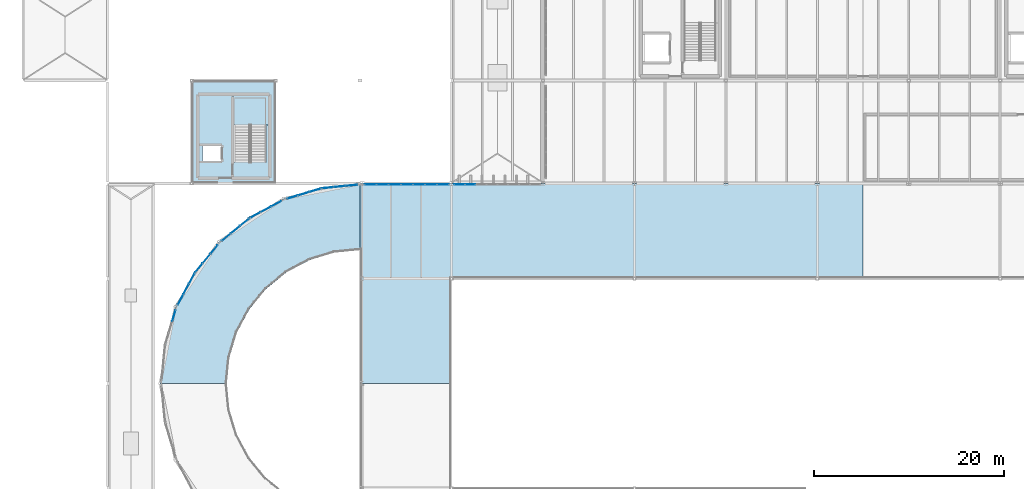
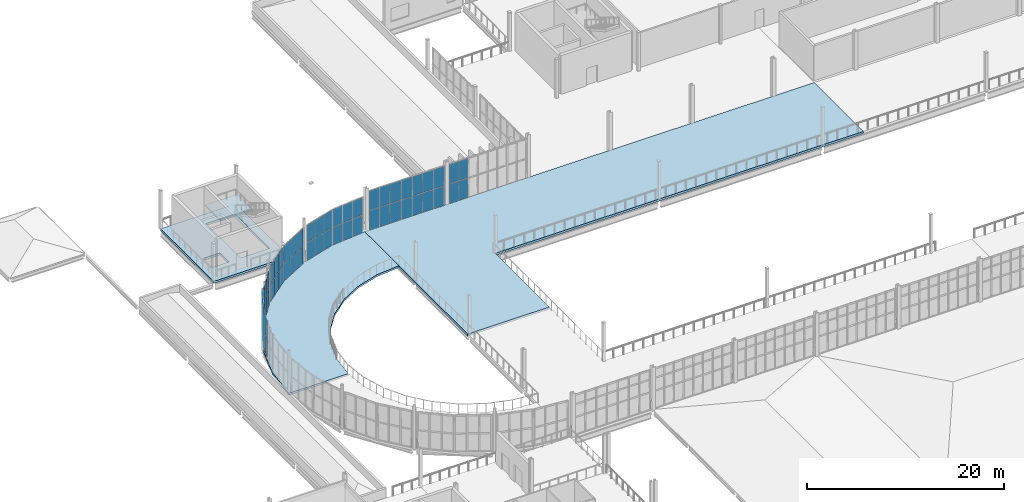
# One storey, part 79 of 112: 56 plates, 4 slabs, 10 elements without a shape of their own.
"""IFC4 building model written with IfcOpenShell, lengths in metres."""

from ifc_helpers import new_model, si_unit, direction, frame, origin, origin_2d, place, context, subcontext, project, spatial, polyline, rectangle, outline, extrude, material, layer, layer_set, type_object, element, aggregate, save


model = new_model("IFC4")

# Units and contexts
model_context = context("Model", 3, precision=1e-05, world=origin(), true_north=direction((0.0, 1.0)))
body_context = subcontext(model_context, "Body", "Model", "MODEL_VIEW")
ifc_project = project(units=[si_unit("LENGTHUNIT", "METRE"), si_unit("AREAUNIT", "SQUARE_METRE"), si_unit("VOLUMEUNIT", "CUBIC_METRE"), si_unit("PLANEANGLEUNIT", "RADIAN"), si_unit("MASSUNIT", "GRAM", prefix="KILO")], contexts=[model_context])

# Site, building, storey
site_placement = place(None, origin())
site = spatial("IfcSite", under=ifc_project, at=site_placement, CompositionType="ELEMENT")
building_placement = place(site_placement, origin())
building = spatial("IfcBuilding", under=site, at=building_placement, Name="Yeouljin Market Hall", CompositionType="ELEMENT")
storey_placement = place(building_placement, frame((0.0, 0.0, 6.0)))
storey = spatial("IfcBuildingStorey", under=building, at=storey_placement, Name="L01", CompositionType="ELEMENT", Elevation=6.0)

# Curtain wall, plates
ifc_material_1 = material(Name="Thermally Broken Aluminium", Category="aluminium")
ifc_layer_1 = layer(ifc_material_1, 0.159912109375)
ifc_layer_set_1 = layer_set([ifc_layer_1], Name="Thermally Broken Aluminium")
curtain_wall_type_1 = type_object("IfcCurtainWallType", Name="CW_HallClerestory_System", PredefinedType="USERDEFINED", material=ifc_layer_set_1)
curtain_wall_1_placement = place(storey_placement, origin())
curtain_wall_1 = element("IfcCurtainWall", 1, at=curtain_wall_1_placement, inside=storey, type_object=curtain_wall_type_1, Name="Curtain wall CW-V1N-UP-01", ObjectType="CURTAIN WALL", PredefinedType="USERDEFINED")
ifc_material_2 = material(Name="Low-E Insulated Glass", Category="glass")
ifc_layer_2 = layer(ifc_material_2, 0.028076171875)
ifc_layer_set_2 = layer_set([ifc_layer_2], Name="Low-E Insulated Glass")
plate_type = type_object("IfcPlateType", Name="CWPanel_LowE_28", PredefinedType="CURTAIN_PANEL", material=ifc_layer_set_2)
plate_1_placement = place(storey_placement, frame((36.497802734375, 77.89990234375, 0.0478515625), z_axis=(0.0, 0.0, 1.0), x_axis=(1.0, 0.0, 0.0)))
plate_1 = element("IfcPlate", 2, at=plate_1_placement, type_object=plate_type, Name="CW-02 panel 1.1", PredefinedType="CURTAIN_PANEL", context=body_context, shape_type="SweptSolid", body=[
    extrude(rectangle(XDim=1.199462890625, YDim=0.028076171875, at=origin_2d()), origin(), (0.0, 0.0, 1.0), 2.4130859375),
])
plate_2_placement = place(storey_placement, frame((36.497802734375, 77.89990234375, 2.509033203125), z_axis=(0.0, 0.0, 1.0), x_axis=(1.0, 0.0, 0.0)))
plate_2 = element("IfcPlate", 3, at=plate_2_placement, type_object=plate_type, Name="CW-02 panel 1.2", PredefinedType="CURTAIN_PANEL", context=body_context, shape_type="SweptSolid", body=[
    extrude(rectangle(XDim=1.199462890625, YDim=0.028076171875, at=origin_2d()), origin(), (0.0, 0.0, 1.0), 2.4130859375),
])
plate_3_placement = place(storey_placement, frame((37.757080078125, 77.89990234375, 0.0478515625), z_axis=(0.0, 0.0, 1.0), x_axis=(1.0, 0.0, 0.0)))
plate_3 = element("IfcPlate", 4, at=plate_3_placement, type_object=plate_type, Name="CW-02 panel 2.1", PredefinedType="CURTAIN_PANEL", context=body_context, shape_type="SweptSolid", body=[
    extrude(rectangle(XDim=1.223388671875, YDim=0.028076171875, at=origin_2d()), origin(), (0.0, 0.0, 1.0), 2.4130859375),
])
plate_4_placement = place(storey_placement, frame((37.757080078125, 77.89990234375, 2.509033203125), z_axis=(0.0, 0.0, 1.0), x_axis=(1.0, 0.0, 0.0)))
plate_4 = element("IfcPlate", 5, at=plate_4_placement, type_object=plate_type, Name="CW-02 panel 2.2", PredefinedType="CURTAIN_PANEL", context=body_context, shape_type="SweptSolid", body=[
    extrude(rectangle(XDim=1.223388671875, YDim=0.028076171875, at=origin_2d()), origin(), (0.0, 0.0, 1.0), 2.4130859375),
])
plate_5_placement = place(storey_placement, frame((39.028564453125, 77.89990234375, 0.0478515625), z_axis=(0.0, 0.0, 1.0), x_axis=(1.0, 0.0, 0.0)))
plate_5 = element("IfcPlate", 6, at=plate_5_placement, type_object=plate_type, Name="CW-02 panel 3.1", PredefinedType="CURTAIN_PANEL", context=body_context, shape_type="SweptSolid", body=[
    extrude(rectangle(XDim=1.223388671875, YDim=0.028076171875, at=origin_2d()), origin(), (0.0, 0.0, 1.0), 2.4130859375),
])
plate_6_placement = place(storey_placement, frame((39.028564453125, 77.89990234375, 2.509033203125), z_axis=(0.0, 0.0, 1.0), x_axis=(1.0, 0.0, 0.0)))
plate_6 = element("IfcPlate", 7, at=plate_6_placement, type_object=plate_type, Name="CW-02 panel 3.2", PredefinedType="CURTAIN_PANEL", context=body_context, shape_type="SweptSolid", body=[
    extrude(rectangle(XDim=1.223388671875, YDim=0.028076171875, at=origin_2d()), origin(), (0.0, 0.0, 1.0), 2.4130859375),
])
plate_7_placement = place(storey_placement, frame((40.300048828125, 77.89990234375, 0.0478515625), z_axis=(0.0, 0.0, 1.0), x_axis=(1.0, 0.0, 0.0)))
plate_7 = element("IfcPlate", 8, at=plate_7_placement, type_object=plate_type, Name="CW-02 panel 4.1", PredefinedType="CURTAIN_PANEL", context=body_context, shape_type="SweptSolid", body=[
    extrude(rectangle(XDim=1.223388671875, YDim=0.028076171875, at=origin_2d()), origin(), (0.0, 0.0, 1.0), 2.4130859375),
])
plate_8_placement = place(storey_placement, frame((40.300048828125, 77.89990234375, 2.509033203125), z_axis=(0.0, 0.0, 1.0), x_axis=(1.0, 0.0, 0.0)))
plate_8 = element("IfcPlate", 9, at=plate_8_placement, type_object=plate_type, Name="CW-02 panel 4.2", PredefinedType="CURTAIN_PANEL", context=body_context, shape_type="SweptSolid", body=[
    extrude(rectangle(XDim=1.223388671875, YDim=0.028076171875, at=origin_2d()), origin(), (0.0, 0.0, 1.0), 2.4130859375),
])
plate_9_placement = place(storey_placement, frame((41.571533203125, 77.89990234375, 0.0478515625), z_axis=(0.0, 0.0, 1.0), x_axis=(1.0, 0.0, 0.0)))
plate_9 = element("IfcPlate", 10, at=plate_9_placement, type_object=plate_type, Name="CW-02 panel 5.1", PredefinedType="CURTAIN_PANEL", context=body_context, shape_type="SweptSolid", body=[
    extrude(rectangle(XDim=1.223388671875, YDim=0.028076171875, at=origin_2d()), origin(), (0.0, 0.0, 1.0), 2.4130859375),
])
plate_10_placement = place(storey_placement, frame((41.571533203125, 77.89990234375, 2.509033203125), z_axis=(0.0, 0.0, 1.0), x_axis=(1.0, 0.0, 0.0)))
plate_10 = element("IfcPlate", 11, at=plate_10_placement, type_object=plate_type, Name="CW-02 panel 5.2", PredefinedType="CURTAIN_PANEL", context=body_context, shape_type="SweptSolid", body=[
    extrude(rectangle(XDim=1.223388671875, YDim=0.028076171875, at=origin_2d()), origin(), (0.0, 0.0, 1.0), 2.4130859375),
])
plate_11_placement = place(storey_placement, frame((42.8427734375, 77.89990234375, 0.0478515625), z_axis=(0.0, 0.0, 1.0), x_axis=(1.0, 0.0, 0.0)))
plate_11 = element("IfcPlate", 12, at=plate_11_placement, type_object=plate_type, Name="CW-02 panel 6.1", PredefinedType="CURTAIN_PANEL", context=body_context, shape_type="SweptSolid", body=[
    extrude(rectangle(XDim=1.223388671875, YDim=0.028076171875, at=origin_2d()), origin(), (0.0, 0.0, 1.0), 2.4130859375),
])
plate_12_placement = place(storey_placement, frame((42.8427734375, 77.89990234375, 2.509033203125), z_axis=(0.0, 0.0, 1.0), x_axis=(1.0, 0.0, 0.0)))
plate_12 = element("IfcPlate", 13, at=plate_12_placement, type_object=plate_type, Name="CW-02 panel 6.2", PredefinedType="CURTAIN_PANEL", context=body_context, shape_type="SweptSolid", body=[
    extrude(rectangle(XDim=1.223388671875, YDim=0.028076171875, at=origin_2d()), origin(), (0.0, 0.0, 1.0), 2.4130859375),
])
plate_13_placement = place(storey_placement, frame((44.102294921875, 77.89990234375, 0.0478515625), z_axis=(0.0, 0.0, 1.0), x_axis=(1.0, 0.0, 0.0)))
plate_13 = element("IfcPlate", 14, at=plate_13_placement, type_object=plate_type, Name="CW-02 panel 7.1", PredefinedType="CURTAIN_PANEL", context=body_context, shape_type="SweptSolid", body=[
    extrude(rectangle(XDim=1.199462890625, YDim=0.028076171875, at=origin_2d()), origin(), (0.0, 0.0, 1.0), 2.4130859375),
])
plate_14_placement = place(storey_placement, frame((44.102294921875, 77.89990234375, 2.509033203125), z_axis=(0.0, 0.0, 1.0), x_axis=(1.0, 0.0, 0.0)))
plate_14 = element("IfcPlate", 15, at=plate_14_placement, type_object=plate_type, Name="CW-02 panel 7.2", PredefinedType="CURTAIN_PANEL", context=body_context, shape_type="SweptSolid", body=[
    extrude(rectangle(XDim=1.199462890625, YDim=0.028076171875, at=origin_2d()), origin(), (0.0, 0.0, 1.0), 2.4130859375),
])
aggregate(curtain_wall_1, [plate_1, plate_2, plate_3, plate_4, plate_5, plate_6, plate_7, plate_8, plate_9, plate_10, plate_11, plate_12, plate_13, plate_14])

curtain_wall_2_placement = place(storey_placement, origin())
curtain_wall_2 = element("IfcCurtainWall", 16, at=curtain_wall_2_placement, inside=storey, type_object=curtain_wall_type_1, Name="Curtain wall CW-V1N-UP-02", ObjectType="CURTAIN WALL", PredefinedType="USERDEFINED")
plate_15_placement = place(storey_placement, frame((45.830810546875, 77.89990234375, 0.0478515625), z_axis=(0.0, 0.0, 1.0), x_axis=(1.0, 0.0, 0.0)))
plate_15 = element("IfcPlate", 17, at=plate_15_placement, type_object=plate_type, Name="CW-02 panel 1.1", PredefinedType="CURTAIN_PANEL", context=body_context, shape_type="SweptSolid", body=[
    extrude(rectangle(XDim=1.0654296875, YDim=0.028076171875, at=origin_2d()), origin(), (0.0, 0.0, 1.0), 2.4130859375),
])
plate_16_placement = place(storey_placement, frame((45.830810546875, 77.89990234375, 2.509033203125), z_axis=(0.0, 0.0, 1.0), x_axis=(1.0, 0.0, 0.0)))
plate_16 = element("IfcPlate", 18, at=plate_16_placement, type_object=plate_type, Name="CW-02 panel 1.2", PredefinedType="CURTAIN_PANEL", context=body_context, shape_type="SweptSolid", body=[
    extrude(rectangle(XDim=1.0654296875, YDim=0.028076171875, at=origin_2d()), origin(), (0.0, 0.0, 1.0), 2.4130859375),
])
plate_17_placement = place(storey_placement, frame((46.956298828125, 77.89990234375, 0.0478515625), z_axis=(0.0, 0.0, 1.0), x_axis=(1.0, 0.0, 0.0)))
plate_17 = element("IfcPlate", 19, at=plate_17_placement, type_object=plate_type, Name="CW-02 panel 2.1", PredefinedType="CURTAIN_PANEL", context=body_context, shape_type="SweptSolid", body=[
    extrude(rectangle(XDim=1.089599609375, YDim=0.028076171875, at=origin_2d()), origin(), (0.0, 0.0, 1.0), 2.4130859375),
])
plate_18_placement = place(storey_placement, frame((46.956298828125, 77.89990234375, 2.509033203125), z_axis=(0.0, 0.0, 1.0), x_axis=(1.0, 0.0, 0.0)))
plate_18 = element("IfcPlate", 20, at=plate_18_placement, type_object=plate_type, Name="CW-02 panel 2.2", PredefinedType="CURTAIN_PANEL", context=body_context, shape_type="SweptSolid", body=[
    extrude(rectangle(XDim=1.089599609375, YDim=0.028076171875, at=origin_2d()), origin(), (0.0, 0.0, 1.0), 2.4130859375),
])
aggregate(curtain_wall_2, [plate_15, plate_16, plate_17, plate_18])

ifc_material_3 = material(Name="Thermally Broken Aluminium", Category="aluminium")
ifc_layer_3 = layer(ifc_material_3, 0.179931640625)
ifc_layer_set_3 = layer_set([ifc_layer_3], Name="Thermally Broken Aluminium")
curtain_wall_type_2 = type_object("IfcCurtainWallType", Name="CW_ApseCurved_System", PredefinedType="USERDEFINED", material=ifc_layer_set_3)
curtain_wall_3_placement = place(storey_placement, origin())
curtain_wall_3 = element("IfcCurtainWall", 21, at=curtain_wall_3_placement, inside=storey, type_object=curtain_wall_type_2, Name="Curtain wall CW-AP-WL01-10", ObjectType="CURTAIN WALL", PredefinedType="USERDEFINED")
plate_19_placement = place(storey_placement, frame((15.842041015625, 64.109130859375, 0.0478515625), z_axis=(0.0, 0.0, 1.0), x_axis=(0.290286164863, 0.95693988447, 0.0)))
plate_19 = element("IfcPlate", 22, at=plate_19_placement, type_object=plate_type, Name="CW-03 panel 3.1", PredefinedType="CURTAIN_PANEL", context=body_context, shape_type="SweptSolid", body=[
    extrude(rectangle(XDim=1.185791015625, YDim=0.028076171875, at=origin_2d()), origin(), (0.0, 0.0, 1.0), 2.177978515625),
])
plate_20_placement = place(storey_placement, frame((15.842041015625, 64.109130859375, 2.27392578125), z_axis=(0.0, 0.0, 1.0), x_axis=(0.290286164863, 0.95693988447, 0.0)))
plate_20 = element("IfcPlate", 23, at=plate_20_placement, type_object=plate_type, Name="CW-03 panel 3.2", PredefinedType="CURTAIN_PANEL", context=body_context, shape_type="SweptSolid", body=[
    extrude(rectangle(XDim=1.185791015625, YDim=0.028076171875, at=origin_2d()), origin(), (0.0, 0.0, 1.0), 2.177978515625),
])
aggregate(curtain_wall_3, [plate_19, plate_20])

curtain_wall_4_placement = place(storey_placement, origin())
curtain_wall_4 = element("IfcCurtainWall", 24, at=curtain_wall_4_placement, inside=storey, type_object=curtain_wall_type_2, Name="Curtain wall CW-AP-WL01-11", ObjectType="CURTAIN WALL", PredefinedType="USERDEFINED")
plate_21_placement = place(storey_placement, frame((16.54345703125, 65.802490234375, 0.0478515625), z_axis=(0.0, 0.0, 1.0), x_axis=(0.471377626598, 0.881931478712, 0.0)))
plate_21 = element("IfcPlate", 25, at=plate_21_placement, type_object=plate_type, Name="CW-03 panel 1.1", PredefinedType="CURTAIN_PANEL", context=body_context, shape_type="SweptSolid", body=[
    extrude(rectangle(XDim=1.185791015625, YDim=0.028076171875, at=origin_2d()), origin(), (0.0, 0.0, 1.0), 2.177978515625),
])
plate_22_placement = place(storey_placement, frame((16.54345703125, 65.802490234375, 2.27392578125), z_axis=(0.0, 0.0, 1.0), x_axis=(0.471377626598, 0.881931478712, 0.0)))
plate_22 = element("IfcPlate", 26, at=plate_22_placement, type_object=plate_type, Name="CW-03 panel 1.2", PredefinedType="CURTAIN_PANEL", context=body_context, shape_type="SweptSolid", body=[
    extrude(rectangle(XDim=1.185791015625, YDim=0.028076171875, at=origin_2d()), origin(), (0.0, 0.0, 1.0), 2.177978515625),
])
plate_23_placement = place(storey_placement, frame((17.130615234375, 66.901123046875, 0.0478515625), z_axis=(0.0, 0.0, 1.0), x_axis=(0.471377626598, 0.881931478712, 0.0)))
plate_23 = element("IfcPlate", 27, at=plate_23_placement, type_object=plate_type, Name="CW-03 panel 2.1", PredefinedType="CURTAIN_PANEL", context=body_context, shape_type="SweptSolid", body=[
    extrude(rectangle(XDim=1.209716796875, YDim=0.028076171875, at=origin_2d()), origin(), (0.0, 0.0, 1.0), 2.177978515625),
])
plate_24_placement = place(storey_placement, frame((17.130615234375, 66.901123046875, 2.27392578125), z_axis=(0.0, 0.0, 1.0), x_axis=(0.471377626598, 0.881931478712, 0.0)))
plate_24 = element("IfcPlate", 28, at=plate_24_placement, type_object=plate_type, Name="CW-03 panel 2.2", PredefinedType="CURTAIN_PANEL", context=body_context, shape_type="SweptSolid", body=[
    extrude(rectangle(XDim=1.209716796875, YDim=0.028076171875, at=origin_2d()), origin(), (0.0, 0.0, 1.0), 2.177978515625),
])
plate_25_placement = place(storey_placement, frame((17.718017578125, 67.999755859375, 0.0478515625), z_axis=(0.0, 0.0, 1.0), x_axis=(0.471377626598, 0.881931478712, 0.0)))
plate_25 = element("IfcPlate", 29, at=plate_25_placement, type_object=plate_type, Name="CW-03 panel 3.1", PredefinedType="CURTAIN_PANEL", context=body_context, shape_type="SweptSolid", body=[
    extrude(rectangle(XDim=1.185791015625, YDim=0.028076171875, at=origin_2d()), origin(), (0.0, 0.0, 1.0), 2.177978515625),
])
plate_26_placement = place(storey_placement, frame((17.718017578125, 67.999755859375, 2.27392578125), z_axis=(0.0, 0.0, 1.0), x_axis=(0.471377626598, 0.881931478712, 0.0)))
plate_26 = element("IfcPlate", 30, at=plate_26_placement, type_object=plate_type, Name="CW-03 panel 3.2", PredefinedType="CURTAIN_PANEL", context=body_context, shape_type="SweptSolid", body=[
    extrude(rectangle(XDim=1.185791015625, YDim=0.028076171875, at=origin_2d()), origin(), (0.0, 0.0, 1.0), 2.177978515625),
])
aggregate(curtain_wall_4, [plate_21, plate_22, plate_23, plate_24, plate_25, plate_26])

curtain_wall_5_placement = place(storey_placement, origin())
curtain_wall_5 = element("IfcCurtainWall", 31, at=curtain_wall_5_placement, inside=storey, type_object=curtain_wall_type_2, Name="Curtain wall CW-AP-WL01-12", ObjectType="CURTAIN WALL", PredefinedType="USERDEFINED")
plate_27_placement = place(storey_placement, frame((18.470947265625, 69.126708984375, 0.0478515625), z_axis=(0.0, 0.0, 1.0), x_axis=(0.634384432096, 0.773017717982, 0.0)))
plate_27 = element("IfcPlate", 32, at=plate_27_placement, type_object=plate_type, Name="CW-03 panel 1.1", PredefinedType="CURTAIN_PANEL", context=body_context, shape_type="SweptSolid", body=[
    extrude(rectangle(XDim=1.185791015625, YDim=0.028076171875, at=origin_2d()), origin(), (0.0, 0.0, 1.0), 2.177978515625),
])
plate_28_placement = place(storey_placement, frame((18.470947265625, 69.126708984375, 2.27392578125), z_axis=(0.0, 0.0, 1.0), x_axis=(0.634384432096, 0.773017717982, 0.0)))
plate_28 = element("IfcPlate", 33, at=plate_28_placement, type_object=plate_type, Name="CW-03 panel 1.2", PredefinedType="CURTAIN_PANEL", context=body_context, shape_type="SweptSolid", body=[
    extrude(rectangle(XDim=1.185791015625, YDim=0.028076171875, at=origin_2d()), origin(), (0.0, 0.0, 1.0), 2.177978515625),
])
plate_29_placement = place(storey_placement, frame((19.26123046875, 70.089599609375, 0.0478515625), z_axis=(0.0, 0.0, 1.0), x_axis=(0.634384432096, 0.773017717982, 0.0)))
plate_29 = element("IfcPlate", 34, at=plate_29_placement, type_object=plate_type, Name="CW-03 panel 2.1", PredefinedType="CURTAIN_PANEL", context=body_context, shape_type="SweptSolid", body=[
    extrude(rectangle(XDim=1.209716796875, YDim=0.028076171875, at=origin_2d()), origin(), (0.0, 0.0, 1.0), 2.177978515625),
])
plate_30_placement = place(storey_placement, frame((19.26123046875, 70.089599609375, 2.27392578125), z_axis=(0.0, 0.0, 1.0), x_axis=(0.634384432096, 0.773017717982, 0.0)))
plate_30 = element("IfcPlate", 35, at=plate_30_placement, type_object=plate_type, Name="CW-03 panel 2.2", PredefinedType="CURTAIN_PANEL", context=body_context, shape_type="SweptSolid", body=[
    extrude(rectangle(XDim=1.209716796875, YDim=0.028076171875, at=origin_2d()), origin(), (0.0, 0.0, 1.0), 2.177978515625),
])
plate_31_placement = place(storey_placement, frame((20.051513671875, 71.052490234375, 0.0478515625), z_axis=(0.0, 0.0, 1.0), x_axis=(0.634384432096, 0.773017717982, 0.0)))
plate_31 = element("IfcPlate", 36, at=plate_31_placement, type_object=plate_type, Name="CW-03 panel 3.1", PredefinedType="CURTAIN_PANEL", context=body_context, shape_type="SweptSolid", body=[
    extrude(rectangle(XDim=1.185791015625, YDim=0.028076171875, at=origin_2d()), origin(), (0.0, 0.0, 1.0), 2.177978515625),
])
plate_32_placement = place(storey_placement, frame((20.051513671875, 71.052490234375, 2.27392578125), z_axis=(0.0, 0.0, 1.0), x_axis=(0.634384432096, 0.773017717982, 0.0)))
plate_32 = element("IfcPlate", 37, at=plate_32_placement, type_object=plate_type, Name="CW-03 panel 3.2", PredefinedType="CURTAIN_PANEL", context=body_context, shape_type="SweptSolid", body=[
    extrude(rectangle(XDim=1.185791015625, YDim=0.028076171875, at=origin_2d()), origin(), (0.0, 0.0, 1.0), 2.177978515625),
])
aggregate(curtain_wall_5, [plate_27, plate_28, plate_29, plate_30, plate_31, plate_32])

curtain_wall_6_placement = place(storey_placement, origin())
curtain_wall_6 = element("IfcCurtainWall", 38, at=curtain_wall_6_placement, inside=storey, type_object=curtain_wall_type_2, Name="Curtain wall CW-AP-WL01-13", ObjectType="CURTAIN WALL", PredefinedType="USERDEFINED")
plate_33_placement = place(storey_placement, frame((21.347412109375, 72.3486328125, 0.0478515625), z_axis=(0.0, 0.0, 1.0), x_axis=(0.773017717982, 0.634384432096, 0.0)))
plate_33 = element("IfcPlate", 39, at=plate_33_placement, type_object=plate_type, Name="CW-03 panel 1.1", PredefinedType="CURTAIN_PANEL", context=body_context, shape_type="SweptSolid", body=[
    extrude(rectangle(XDim=1.185791015625, YDim=0.028076171875, at=origin_2d()), origin(), (0.0, 0.0, 1.0), 2.177978515625),
])
plate_34_placement = place(storey_placement, frame((21.347412109375, 72.3486328125, 2.27392578125), z_axis=(0.0, 0.0, 1.0), x_axis=(0.773017717982, 0.634384432096, 0.0)))
plate_34 = element("IfcPlate", 40, at=plate_34_placement, type_object=plate_type, Name="CW-03 panel 1.2", PredefinedType="CURTAIN_PANEL", context=body_context, shape_type="SweptSolid", body=[
    extrude(rectangle(XDim=1.185791015625, YDim=0.028076171875, at=origin_2d()), origin(), (0.0, 0.0, 1.0), 2.177978515625),
])
plate_35_placement = place(storey_placement, frame((22.310302734375, 73.138916015625, 0.0478515625), z_axis=(0.0, 0.0, 1.0), x_axis=(0.773017717982, 0.634384432096, 0.0)))
plate_35 = element("IfcPlate", 41, at=plate_35_placement, type_object=plate_type, Name="CW-03 panel 2.1", PredefinedType="CURTAIN_PANEL", context=body_context, shape_type="SweptSolid", body=[
    extrude(rectangle(XDim=1.209716796875, YDim=0.028076171875, at=origin_2d()), origin(), (0.0, 0.0, 1.0), 2.177978515625),
])
plate_36_placement = place(storey_placement, frame((22.310302734375, 73.138916015625, 2.27392578125), z_axis=(0.0, 0.0, 1.0), x_axis=(0.773017717982, 0.634384432096, 0.0)))
plate_36 = element("IfcPlate", 42, at=plate_36_placement, type_object=plate_type, Name="CW-03 panel 2.2", PredefinedType="CURTAIN_PANEL", context=body_context, shape_type="SweptSolid", body=[
    extrude(rectangle(XDim=1.209716796875, YDim=0.028076171875, at=origin_2d()), origin(), (0.0, 0.0, 1.0), 2.177978515625),
])
plate_37_placement = place(storey_placement, frame((23.2734375, 73.92919921875, 0.0478515625), z_axis=(0.0, 0.0, 1.0), x_axis=(0.773017717982, 0.634384432096, 0.0)))
plate_37 = element("IfcPlate", 43, at=plate_37_placement, type_object=plate_type, Name="CW-03 panel 3.1", PredefinedType="CURTAIN_PANEL", context=body_context, shape_type="SweptSolid", body=[
    extrude(rectangle(XDim=1.185791015625, YDim=0.028076171875, at=origin_2d()), origin(), (0.0, 0.0, 1.0), 2.177978515625),
])
plate_38_placement = place(storey_placement, frame((23.2734375, 73.92919921875, 2.27392578125), z_axis=(0.0, 0.0, 1.0), x_axis=(0.773017717982, 0.634384432096, 0.0)))
plate_38 = element("IfcPlate", 44, at=plate_38_placement, type_object=plate_type, Name="CW-03 panel 3.2", PredefinedType="CURTAIN_PANEL", context=body_context, shape_type="SweptSolid", body=[
    extrude(rectangle(XDim=1.185791015625, YDim=0.028076171875, at=origin_2d()), origin(), (0.0, 0.0, 1.0), 2.177978515625),
])
aggregate(curtain_wall_6, [plate_33, plate_34, plate_35, plate_36, plate_37, plate_38])

curtain_wall_7_placement = place(storey_placement, origin())
curtain_wall_7 = element("IfcCurtainWall", 45, at=curtain_wall_7_placement, inside=storey, type_object=curtain_wall_type_2, Name="Curtain wall CW-AP-WL01-14", ObjectType="CURTAIN WALL", PredefinedType="USERDEFINED")
plate_39_placement = place(storey_placement, frame((24.400146484375, 74.68212890625, 0.0478515625), z_axis=(0.0, 0.0, 1.0), x_axis=(0.881931478712, 0.471377626598, 0.0)))
plate_39 = element("IfcPlate", 46, at=plate_39_placement, type_object=plate_type, Name="CW-03 panel 1.1", PredefinedType="CURTAIN_PANEL", context=body_context, shape_type="SweptSolid", body=[
    extrude(rectangle(XDim=1.185791015625, YDim=0.028076171875, at=origin_2d()), origin(), (0.0, 0.0, 1.0), 2.177978515625),
])
plate_40_placement = place(storey_placement, frame((24.400146484375, 74.68212890625, 2.27392578125), z_axis=(0.0, 0.0, 1.0), x_axis=(0.881931478712, 0.471377626598, 0.0)))
plate_40 = element("IfcPlate", 47, at=plate_40_placement, type_object=plate_type, Name="CW-03 panel 1.2", PredefinedType="CURTAIN_PANEL", context=body_context, shape_type="SweptSolid", body=[
    extrude(rectangle(XDim=1.185791015625, YDim=0.028076171875, at=origin_2d()), origin(), (0.0, 0.0, 1.0), 2.177978515625),
])
plate_41_placement = place(storey_placement, frame((25.498779296875, 75.269287109375, 0.0478515625), z_axis=(0.0, 0.0, 1.0), x_axis=(0.881931478712, 0.471377626598, 0.0)))
plate_41 = element("IfcPlate", 48, at=plate_41_placement, type_object=plate_type, Name="CW-03 panel 2.1", PredefinedType="CURTAIN_PANEL", context=body_context, shape_type="SweptSolid", body=[
    extrude(rectangle(XDim=1.209716796875, YDim=0.028076171875, at=origin_2d()), origin(), (0.0, 0.0, 1.0), 2.177978515625),
])
plate_42_placement = place(storey_placement, frame((25.498779296875, 75.269287109375, 2.27392578125), z_axis=(0.0, 0.0, 1.0), x_axis=(0.881931478712, 0.471377626598, 0.0)))
plate_42 = element("IfcPlate", 49, at=plate_42_placement, type_object=plate_type, Name="CW-03 panel 2.2", PredefinedType="CURTAIN_PANEL", context=body_context, shape_type="SweptSolid", body=[
    extrude(rectangle(XDim=1.209716796875, YDim=0.028076171875, at=origin_2d()), origin(), (0.0, 0.0, 1.0), 2.177978515625),
])
plate_43_placement = place(storey_placement, frame((26.597412109375, 75.8564453125, 0.0478515625), z_axis=(0.0, 0.0, 1.0), x_axis=(0.881931478712, 0.471377626598, 0.0)))
plate_43 = element("IfcPlate", 50, at=plate_43_placement, type_object=plate_type, Name="CW-03 panel 3.1", PredefinedType="CURTAIN_PANEL", context=body_context, shape_type="SweptSolid", body=[
    extrude(rectangle(XDim=1.185791015625, YDim=0.028076171875, at=origin_2d()), origin(), (0.0, 0.0, 1.0), 2.177978515625),
])
plate_44_placement = place(storey_placement, frame((26.597412109375, 75.8564453125, 2.27392578125), z_axis=(0.0, 0.0, 1.0), x_axis=(0.881931478712, 0.471377626598, 0.0)))
plate_44 = element("IfcPlate", 51, at=plate_44_placement, type_object=plate_type, Name="CW-03 panel 3.2", PredefinedType="CURTAIN_PANEL", context=body_context, shape_type="SweptSolid", body=[
    extrude(rectangle(XDim=1.185791015625, YDim=0.028076171875, at=origin_2d()), origin(), (0.0, 0.0, 1.0), 2.177978515625),
])
aggregate(curtain_wall_7, [plate_39, plate_40, plate_41, plate_42, plate_43, plate_44])

curtain_wall_8_placement = place(storey_placement, origin())
curtain_wall_8 = element("IfcCurtainWall", 52, at=curtain_wall_8_placement, inside=storey, type_object=curtain_wall_type_2, Name="Curtain wall CW-AP-WL01-15", ObjectType="CURTAIN WALL", PredefinedType="USERDEFINED")
plate_45_placement = place(storey_placement, frame((28.290771484375, 76.557861328125, 0.0478515625), z_axis=(0.0, 0.0, 1.0), x_axis=(0.95693988447, 0.290286164863, 0.0)))
plate_45 = element("IfcPlate", 53, at=plate_45_placement, type_object=plate_type, Name="CW-03 panel 1.1", PredefinedType="CURTAIN_PANEL", context=body_context, shape_type="SweptSolid", body=[
    extrude(rectangle(XDim=1.185791015625, YDim=0.028076171875, at=origin_2d()), origin(), (0.0, 0.0, 1.0), 2.177978515625),
])
plate_46_placement = place(storey_placement, frame((28.290771484375, 76.557861328125, 2.27392578125), z_axis=(0.0, 0.0, 1.0), x_axis=(0.95693988447, 0.290286164863, 0.0)))
plate_46 = element("IfcPlate", 54, at=plate_46_placement, type_object=plate_type, Name="CW-03 panel 1.2", PredefinedType="CURTAIN_PANEL", context=body_context, shape_type="SweptSolid", body=[
    extrude(rectangle(XDim=1.185791015625, YDim=0.028076171875, at=origin_2d()), origin(), (0.0, 0.0, 1.0), 2.177978515625),
])
plate_47_placement = place(storey_placement, frame((29.48291015625, 76.91943359375, 0.0478515625), z_axis=(0.0, 0.0, 1.0), x_axis=(0.95693988447, 0.290286164863, 0.0)))
plate_47 = element("IfcPlate", 55, at=plate_47_placement, type_object=plate_type, Name="CW-03 panel 2.1", PredefinedType="CURTAIN_PANEL", context=body_context, shape_type="SweptSolid", body=[
    extrude(rectangle(XDim=1.209716796875, YDim=0.028076171875, at=origin_2d()), origin(), (0.0, 0.0, 1.0), 2.177978515625),
])
plate_48_placement = place(storey_placement, frame((29.48291015625, 76.91943359375, 2.27392578125), z_axis=(0.0, 0.0, 1.0), x_axis=(0.95693988447, 0.290286164863, 0.0)))
plate_48 = element("IfcPlate", 56, at=plate_48_placement, type_object=plate_type, Name="CW-03 panel 2.2", PredefinedType="CURTAIN_PANEL", context=body_context, shape_type="SweptSolid", body=[
    extrude(rectangle(XDim=1.209716796875, YDim=0.028076171875, at=origin_2d()), origin(), (0.0, 0.0, 1.0), 2.177978515625),
])
plate_49_placement = place(storey_placement, frame((30.675048828125, 77.28125, 0.0478515625), z_axis=(0.0, 0.0, 1.0), x_axis=(0.95693988447, 0.290286164863, 0.0)))
plate_49 = element("IfcPlate", 57, at=plate_49_placement, type_object=plate_type, Name="CW-03 panel 3.1", PredefinedType="CURTAIN_PANEL", context=body_context, shape_type="SweptSolid", body=[
    extrude(rectangle(XDim=1.185791015625, YDim=0.028076171875, at=origin_2d()), origin(), (0.0, 0.0, 1.0), 2.177978515625),
])
plate_50_placement = place(storey_placement, frame((30.675048828125, 77.28125, 2.27392578125), z_axis=(0.0, 0.0, 1.0), x_axis=(0.95693988447, 0.290286164863, 0.0)))
plate_50 = element("IfcPlate", 58, at=plate_50_placement, type_object=plate_type, Name="CW-03 panel 3.2", PredefinedType="CURTAIN_PANEL", context=body_context, shape_type="SweptSolid", body=[
    extrude(rectangle(XDim=1.185791015625, YDim=0.028076171875, at=origin_2d()), origin(), (0.0, 0.0, 1.0), 2.177978515625),
])
aggregate(curtain_wall_8, [plate_45, plate_46, plate_47, plate_48, plate_49, plate_50])

curtain_wall_9_placement = place(storey_placement, origin())
curtain_wall_9 = element("IfcCurtainWall", 59, at=curtain_wall_9_placement, inside=storey, type_object=curtain_wall_type_2, Name="Curtain wall CW-AP-WL01-16", ObjectType="CURTAIN WALL", PredefinedType="USERDEFINED")
plate_51_placement = place(storey_placement, frame((32.004150390625, 77.54541015625, 0.0478515625), z_axis=(0.0, 0.0, 1.0), x_axis=(0.995183051807, 0.09803414403, 0.0)))
plate_51 = element("IfcPlate", 60, at=plate_51_placement, type_object=plate_type, Name="CW-03 panel 1.1", PredefinedType="CURTAIN_PANEL", context=body_context, shape_type="SweptSolid", body=[
    extrude(rectangle(XDim=1.185791015625, YDim=0.028076171875, at=origin_2d()), origin(), (0.0, 0.0, 1.0), 2.177978515625),
])
plate_52_placement = place(storey_placement, frame((32.004150390625, 77.54541015625, 2.27392578125), z_axis=(0.0, 0.0, 1.0), x_axis=(0.995183051807, 0.09803414403, 0.0)))
plate_52 = element("IfcPlate", 61, at=plate_52_placement, type_object=plate_type, Name="CW-03 panel 1.2", PredefinedType="CURTAIN_PANEL", context=body_context, shape_type="SweptSolid", body=[
    extrude(rectangle(XDim=1.185791015625, YDim=0.028076171875, at=origin_2d()), origin(), (0.0, 0.0, 1.0), 2.177978515625),
])
plate_53_placement = place(storey_placement, frame((33.243896484375, 77.667724609375, 0.0478515625), z_axis=(0.0, 0.0, 1.0), x_axis=(0.995183051807, 0.09803414403, 0.0)))
plate_53 = element("IfcPlate", 62, at=plate_53_placement, type_object=plate_type, Name="CW-03 panel 2.1", PredefinedType="CURTAIN_PANEL", context=body_context, shape_type="SweptSolid", body=[
    extrude(rectangle(XDim=1.209716796875, YDim=0.028076171875, at=origin_2d()), origin(), (0.0, 0.0, 1.0), 2.177978515625),
])
plate_54_placement = place(storey_placement, frame((33.243896484375, 77.667724609375, 2.27392578125), z_axis=(0.0, 0.0, 1.0), x_axis=(0.995183051807, 0.09803414403, 0.0)))
plate_54 = element("IfcPlate", 63, at=plate_54_placement, type_object=plate_type, Name="CW-03 panel 2.2", PredefinedType="CURTAIN_PANEL", context=body_context, shape_type="SweptSolid", body=[
    extrude(rectangle(XDim=1.209716796875, YDim=0.028076171875, at=origin_2d()), origin(), (0.0, 0.0, 1.0), 2.177978515625),
])
plate_55_placement = place(storey_placement, frame((34.483642578125, 77.789794921875, 0.0478515625), z_axis=(0.0, 0.0, 1.0), x_axis=(0.995183051807, 0.09803414403, 0.0)))
plate_55 = element("IfcPlate", 64, at=plate_55_placement, type_object=plate_type, Name="CW-03 panel 3.1", PredefinedType="CURTAIN_PANEL", context=body_context, shape_type="SweptSolid", body=[
    extrude(rectangle(XDim=1.185791015625, YDim=0.028076171875, at=origin_2d()), origin(), (0.0, 0.0, 1.0), 2.177978515625),
])
plate_56_placement = place(storey_placement, frame((34.483642578125, 77.789794921875, 2.27392578125), z_axis=(0.0, 0.0, 1.0), x_axis=(0.995183051807, 0.09803414403, 0.0)))
plate_56 = element("IfcPlate", 65, at=plate_56_placement, type_object=plate_type, Name="CW-03 panel 3.2", PredefinedType="CURTAIN_PANEL", context=body_context, shape_type="SweptSolid", body=[
    extrude(rectangle(XDim=1.185791015625, YDim=0.028076171875, at=origin_2d()), origin(), (0.0, 0.0, 1.0), 2.177978515625),
])
aggregate(curtain_wall_9, [plate_51, plate_52, plate_53, plate_54, plate_55, plate_56])

# Slabs
ifc_material_4 = material(Name="Concrete C30/37", Category="concrete")
ifc_layer_4 = layer(ifc_material_4, 0.2451171875)
ifc_layer_set_4 = layer_set([ifc_layer_4], Name="Concrete C30/37")
slab_type_1 = type_object("IfcSlabType", Name="SLB_MEZZ_230", PredefinedType="FLOOR", material=ifc_layer_set_4)
slab_1_placement = place(storey_placement, frame((0.0, 0.0, -0.2451171875)))
element("IfcSlab", 66, at=slab_1_placement, inside=storey, type_object=slab_type_1, Name="Structural slab SLB-L01-AWN", PredefinedType="FLOOR", context=body_context, shape_type="SweptSolid", body=[
    extrude(outline(polyline([(35.39990234375, 78.0), (31.302978515625, 77.596435546875), (27.363525390625, 76.401611328125), (23.73291015625, 74.4609375), (20.55078125, 71.84912109375), (17.939208984375, 68.6669921875), (15.99853515625, 65.036376953125), (14.803466796875, 61.096923828125), (14.39990234375, 57.0), (21.39990234375, 57.0), (21.6689453125, 59.731201171875), (22.4658203125, 62.357666015625), (23.759521484375, 64.778076171875), (25.50048828125, 66.8994140625), (27.6220703125, 68.640625), (30.04248046875, 69.934326171875), (32.668701171875, 70.73095703125), (35.39990234375, 71.0), (35.39990234375, 78.0)])), origin(), (0.0, 0.0, 1.0), 0.2451171875),
])
ifc_material_5 = material(Name="Concrete C30/37", Category="concrete")
ifc_layer_5 = layer(ifc_material_5, 0.27001953125)
ifc_layer_set_5 = layer_set([ifc_layer_5], Name="Concrete C30/37")
slab_type_2 = type_object("IfcSlabType", Name="SLB_MEZZ_240", PredefinedType="FLOOR", material=ifc_layer_set_5)
slab_2_placement = place(storey_placement, frame((0.0, 0.0, -0.27001953125)))
element("IfcSlab", 67, at=slab_2_placement, inside=storey, type_object=slab_type_2, Name="Structural slab SLB-L01-HMNW", PredefinedType="FLOOR", context=body_context, shape_type="SweptSolid", body=[
    extrude(outline(polyline([(35.39990234375, 57.0), (45.0, 57.0), (45.0, 68.0), (88.199951171875, 68.0), (88.199951171875, 78.0), (35.39990234375, 78.0), (35.39990234375, 57.0)])), origin(), (0.0, 0.0, 1.0), 0.27001953125),
])
ifc_material_6 = material(Name="Concrete C30/37", Category="concrete")
ifc_layer_6 = layer(ifc_material_6, 0.264892578125)
ifc_layer_set_6 = layer_set([ifc_layer_6], Name="Concrete C30/37")
slab_type_3 = type_object("IfcSlabType", Name="SLB_WING_220", PredefinedType="FLOOR", material=ifc_layer_set_6)
slab_3_placement = place(storey_placement, frame((0.0, 0.0, -0.264892578125)))
element("IfcSlab", 68, at=slab_3_placement, inside=storey, type_object=slab_type_3, Name="Structural slab SLB-L01-WN", PredefinedType="FLOOR", context=body_context, shape_type="SweptSolid", body=[
    extrude(outline(polyline([(17.699951171875, 78.0), (26.550048828125, 78.0), (26.550048828125, 88.800048828125), (17.699951171875, 88.800048828125), (17.699951171875, 78.0)]), holes=[polyline([(22.14990234375, 80.25), (25.550048828125, 80.25), (25.550048828125, 87.27001953125), (22.14990234375, 87.27001953125), (22.14990234375, 80.25)]), polyline([(18.824951171875, 80.25), (20.77490234375, 80.25), (20.77490234375, 82.050048828125), (18.824951171875, 82.050048828125), (18.824951171875, 80.25)])]), origin(), (0.0, 0.0, 1.0), 0.264892578125),
])

# Stair, slab
ifc_material_7 = material(Name="Concrete C30/37", Category="concrete")
stair_type = type_object("IfcStairType", Name="Stair_Core_L01_L02", PredefinedType="TWO_STRAIGHT_RUN_STAIR", material=ifc_material_7)
stair_placement = place(storey_placement, origin())
stair = element("IfcStair", 69, at=stair_placement, inside=storey, type_object=stair_type, Name="Enclosed exit stair ST-C2-L01", PredefinedType="TWO_STRAIGHT_RUN_STAIR")
ifc_material_8 = material(Name="Concrete C30/37", Category="concrete")
ifc_layer_7 = layer(ifc_material_8, 0.219970703125)
ifc_layer_set_7 = layer_set([ifc_layer_7], Name="Concrete C30/37")
slab_type_4 = type_object("IfcSlabType", Name="StairLanding_220", PredefinedType="LANDING", material=ifc_layer_set_7)
slab_4_placement = place(storey_placement, frame((0.0, 0.0, 2.179931640625)))
slab_4 = element("IfcSlab", 70, at=slab_4_placement, type_object=slab_type_4, Name="ST-C2-L01 landing 1", PredefinedType="LANDING", context=body_context, shape_type="SweptSolid", body=[
    extrude(outline(polyline([(22.030029296875, 84.14990234375), (25.780029296875, 84.14990234375), (25.780029296875, 87.22998046875), (22.030029296875, 87.22998046875), (22.030029296875, 84.14990234375)])), origin(), (0.0, 0.0, 1.0), 0.219970703125),
])
aggregate(stair, [slab_4])

save(model, "model.ifc")
